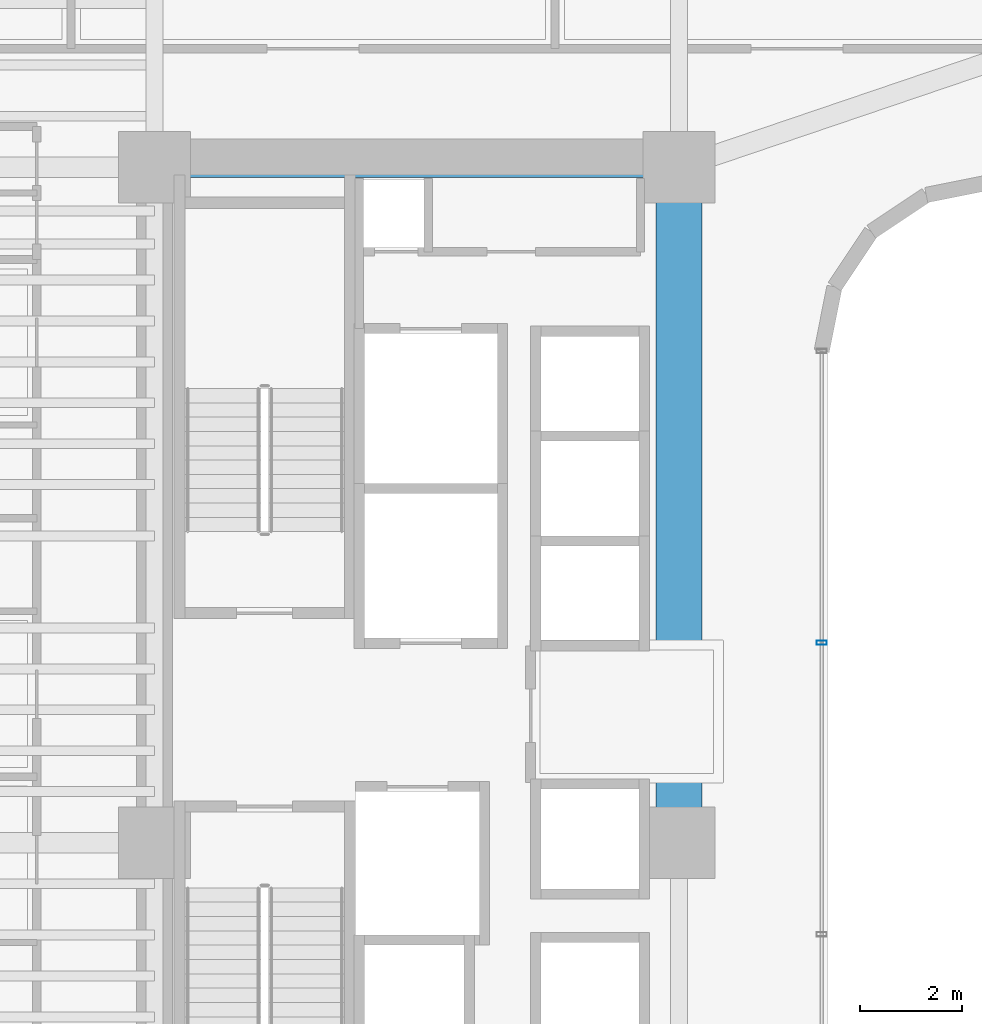
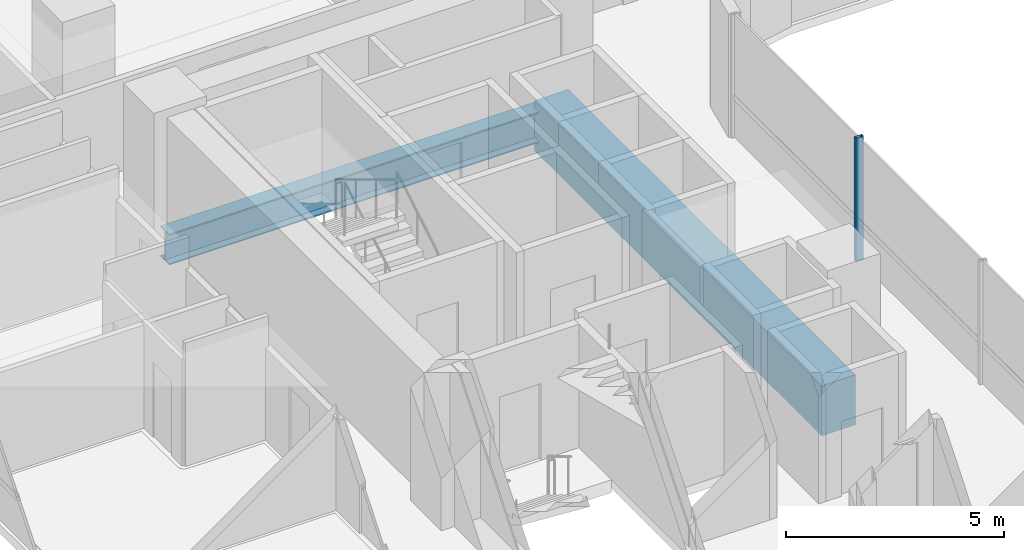
# One storey, part 12 of 40: 2 beams, 1 member, 1 element without a shape of its own.
"""IFC4 building model written with IfcOpenShell, lengths in metres."""

from ifc_helpers import new_model, si_unit, direction, frame, origin, origin_2d, place, context, subcontext, project, spatial, rectangle, hollow_rectangle, i_section, extrude, source, transform, mapped, material, material_profile, profile_set, type_object, element, aggregate, save


model = new_model("IFC4")

# Units and contexts
model_context = context("Model", 3, precision=1e-05, world=origin(), true_north=direction((0.0, 1.0)))
body_context = subcontext(model_context, "Body", "Model", "MODEL_VIEW")
ifc_project = project(units=[si_unit("LENGTHUNIT", "METRE"), si_unit("AREAUNIT", "SQUARE_METRE"), si_unit("VOLUMEUNIT", "CUBIC_METRE"), si_unit("PLANEANGLEUNIT", "RADIAN"), si_unit("MASSUNIT", "GRAM", prefix="KILO")], contexts=[model_context])

# Site, building, storey
site_placement = place(None, origin())
site = spatial("IfcSite", under=ifc_project, at=site_placement, CompositionType="ELEMENT")
building_placement = place(site_placement, origin())
building = spatial("IfcBuilding", under=site, at=building_placement, Name="Valdorenza Pilgrim Sanctuary Tower", CompositionType="ELEMENT")
storey_placement = place(building_placement, frame((0.0, 0.0, 81.5)))
storey = spatial("IfcBuildingStorey", under=building, at=storey_placement, Name="L20", CompositionType="ELEMENT", Elevation=81.5)

# Beams
ifc_material_1 = material(Name="Concrete C60/75", Category="concrete")
ifc_material_profile_1 = material_profile(ifc_material_1, rectangle(XDim=0.89990234375, YDim=1.39990234375, at=origin_2d()), Name="RC 1400x900")
ifc_profile_set_1 = profile_set([ifc_material_profile_1], Name="Concrete C60/75")
beam_type_1 = type_object("IfcBeamType", Name="STR-BM-LNT-1400", PredefinedType="LINTEL", material=ifc_profile_set_1)
shared_shape_1 = source(origin(), body_context, "Body", "SweptSolid", [
    extrude(rectangle(XDim=0.89990234375, YDim=1.39990234375, at=origin_2d()), origin(), (0.0, 0.0, 1.0), 13.2001953125),
])
beam_1_placement = place(storey_placement, frame((-12.39990234375, -2.60009765625, -0.739990234375), z_axis=(0.0, 1.0, 0.0), x_axis=(-1.0, 0.0, 0.0)))
element("IfcBeam", 1, at=beam_1_placement, inside=storey, type_object=beam_type_1, Name="L20 Core A Coupling Lintel Girder", PredefinedType="LINTEL", context=body_context, shape_type="MappedRepresentation", body=[
    mapped(shared_shape_1, transform((0.0, 0.0, 0.0), x_axis=(1.0, 0.0, 0.0), y_axis=(0.0, 1.0, 0.0), z_axis=(0.0, 0.0, 1.0), scale=1.0)),
])
ifc_material_2 = material(Name="Steel ASTM A992 Grade 50", Category="steel")
ifc_material_profile_2 = material_profile(ifc_material_2, i_section(OverallWidth=0.39990234375, OverallDepth=0.862060546875, WebThickness=0.019775390625, FlangeThickness=0.032470703125, at=origin_2d()), Name="W33X221")
ifc_profile_set_2 = profile_set([ifc_material_profile_2], Name="Steel ASTM A992 Grade 50")
beam_type_2 = type_object("IfcBeamType", Name="STR-BM-GRD-W33", PredefinedType="BEAM", material=ifc_profile_set_2)
shared_shape_2 = source(origin(), body_context, "Body", "SweptSolid", [
    extrude(i_section(OverallWidth=0.39990234375, OverallDepth=0.862060546875, WebThickness=0.019775390625, FlangeThickness=0.032470703125, at=origin_2d()), origin(), (0.0, 0.0, 1.0), 10.25),
])
beam_2_placement = place(storey_placement, frame((-22.64990234375, 10.60009765625, -0.6708984375), z_axis=(1.0, 0.0, 0.0), x_axis=(0.0, 1.0, 0.0)))
element("IfcBeam", 2, at=beam_2_placement, inside=storey, type_object=beam_type_2, Name="L20 Floor Girder CA-XC-N1", PredefinedType="BEAM", context=body_context, shape_type="MappedRepresentation", body=[
    mapped(shared_shape_2, transform((0.0, 0.0, 0.0), x_axis=(1.0, 0.0, 0.0), y_axis=(0.0, 1.0, 0.0), z_axis=(0.0, 0.0, 1.0), scale=1.0)),
])

# Curtain wall, member
ifc_material_3 = material(Name="Curtain-wall IGU glazing", Category="glass")
curtain_wall_type = type_object("IfcCurtainWallType", Name="CW-SYS-02", PredefinedType="NOTDEFINED", material=ifc_material_3)
curtain_wall_placement = place(storey_placement, origin())
curtain_wall = element("IfcCurtainWall", 3, at=curtain_wall_placement, inside=storey, type_object=curtain_wall_type, Name="L20 Curtain Wall CW-L20-1-41", PredefinedType="NOTDEFINED")
ifc_material_4 = material(Name="Anodised aluminium AW-6060", Category="aluminium")
ifc_material_profile_3 = material_profile(ifc_material_4, hollow_rectangle(XDim=0.0849609375, YDim=0.199951171875, WallThickness=0.0048828125, at=origin_2d()), Name="ALU-M 200x85x5")
ifc_profile_set_3 = profile_set([ifc_material_profile_3], Name="Anodised aluminium AW-6060")
member_type = type_object("IfcMemberType", Name="CW-MUL-02", PredefinedType="MULLION", material=ifc_profile_set_3)
shared_shape_3 = source(origin(), body_context, "Body", "SweptSolid", [
    extrude(hollow_rectangle(XDim=0.0849609375, YDim=0.199951171875, WallThickness=0.0048828125, at=origin_2d()), origin(), (0.0, 0.0, 1.0), 3.4599609375),
])
member_placement = place(storey_placement, frame((-9.610107421875, 1.310791015625, 0.0), z_axis=(0.0, 0.0, 1.0), x_axis=(0.0, -1.0, 0.0)))
member = element("IfcMember", 4, at=member_placement, type_object=member_type, Name="CW-L20-1-41 Mullion 2", PredefinedType="MULLION", context=body_context, shape_type="MappedRepresentation", body=[
    mapped(shared_shape_3, transform((0.0, 0.0, 0.0), x_axis=(1.0, 0.0, 0.0), y_axis=(0.0, 1.0, 0.0), z_axis=(0.0, 0.0, 1.0), scale=1.0)),
])
aggregate(curtain_wall, [member])

save(model, "model.ifc")
